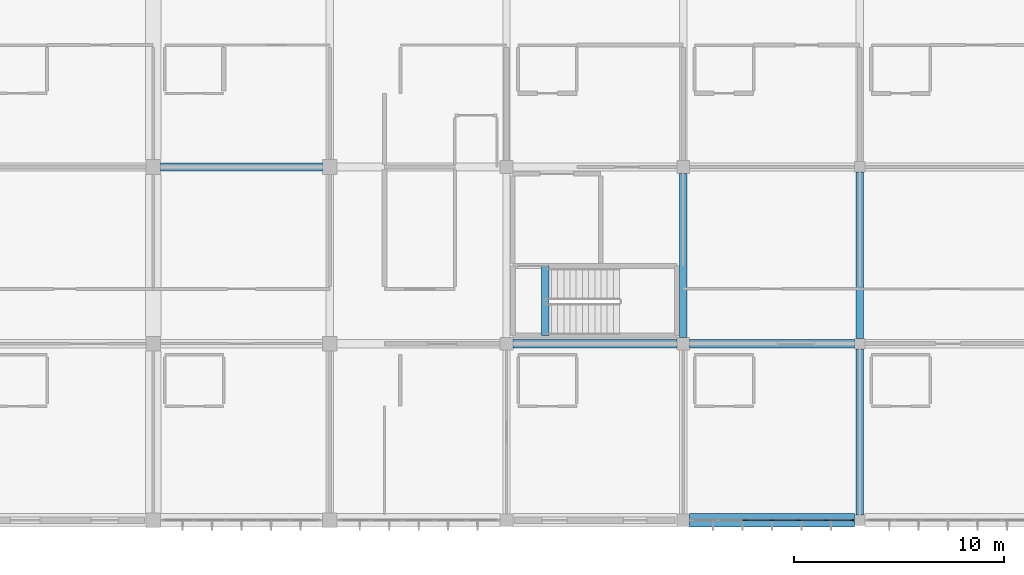
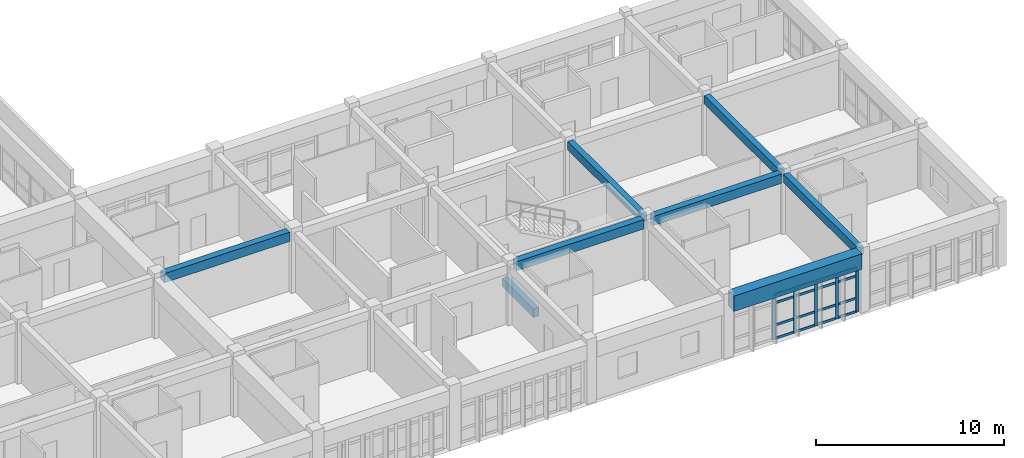
# One storey, part 44 of 119: 21 members, 8 beams, 1 element without a shape of its own.
"""IFC4 building model written with IfcOpenShell, lengths in metres."""

from ifc_helpers import new_model, si_unit, direction, frame, origin, origin_2d, place, context, subcontext, project, spatial, rectangle, extrude, material, layer, layer_set, material_profile, profile_set, type_object, element, aggregate, save


model = new_model("IFC4")

# Units and contexts
model_context = context("Model", 3, precision=1e-05, world=origin(), true_north=direction((0.0, 1.0)))
body_context = subcontext(model_context, "Body", "Model", "MODEL_VIEW")
ifc_project = project(units=[si_unit("LENGTHUNIT", "METRE"), si_unit("AREAUNIT", "SQUARE_METRE"), si_unit("VOLUMEUNIT", "CUBIC_METRE"), si_unit("PLANEANGLEUNIT", "RADIAN"), si_unit("MASSUNIT", "GRAM", prefix="KILO")], contexts=[model_context])

# Site, building, storey
site_placement = place(None, origin())
site = spatial("IfcSite", under=ifc_project, at=site_placement, CompositionType="ELEMENT")
building_placement = place(site_placement, origin())
building = spatial("IfcBuilding", under=site, at=building_placement, Name="Bramfleet General Hospital", CompositionType="ELEMENT")
storey_placement = place(building_placement, frame((0.0, 0.0, 14.39990234375)))
storey = spatial("IfcBuildingStorey", under=building, at=storey_placement, Name="L03", CompositionType="ELEMENT", Elevation=14.39990234375)

# Beams
ifc_material_1 = material(Name="Concrete C35/45", Category="concrete")
ifc_material_profile_1 = material_profile(ifc_material_1, rectangle(XDim=0.35009765625, YDim=0.550048828125, at=origin_2d()), Name="RC BM 550x350")
ifc_profile_set_1 = profile_set([ifc_material_profile_1], Name="Concrete C35/45")
beam_type_1 = type_object("IfcBeamType", Name="BM-RC550", PredefinedType="BEAM", material=ifc_profile_set_1)
beam_1_placement = place(storey_placement, frame((151.199951171875, 8.699951171875, 3.625), z_axis=(0.0, 1.0, 0.0), x_axis=(-1.0, 0.0, 0.0)))
element("IfcBeam", 1, at=beam_1_placement, inside=storey, type_object=beam_type_1, Name="L03 Grid Beam Y 18-01", PredefinedType="BEAM", context=body_context, shape_type="SweptSolid", body=[
    extrude(rectangle(XDim=0.35009765625, YDim=0.550048828125, at=origin_2d()), origin(), (0.0, 0.0, 1.0), 7.800048828125),
])
beam_2_placement = place(storey_placement, frame((159.60009765625, 0.25, 3.625), z_axis=(0.0, 1.0, 0.0), x_axis=(-1.0, 0.0, 0.0)))
element("IfcBeam", 2, at=beam_2_placement, inside=storey, type_object=beam_type_1, Name="L03 Grid Beam Y 19-00", PredefinedType="BEAM", context=body_context, shape_type="SweptSolid", body=[
    extrude(rectangle(XDim=0.35009765625, YDim=0.550048828125, at=origin_2d()), origin(), (0.0, 0.0, 1.0), 7.89990234375),
])
beam_3_placement = place(storey_placement, frame((159.60009765625, 8.64990234375, 3.625), z_axis=(0.0, 1.0, 0.0), x_axis=(-1.0, 0.0, 0.0)))
element("IfcBeam", 3, at=beam_3_placement, inside=storey, type_object=beam_type_1, Name="L03 Grid Beam Y 19-01", PredefinedType="BEAM", context=body_context, shape_type="SweptSolid", body=[
    extrude(rectangle(XDim=0.35009765625, YDim=0.550048828125, at=origin_2d()), origin(), (0.0, 0.0, 1.0), 7.900146484375),
])
beam_4_placement = place(storey_placement, frame((144.639892578125, 8.780029296875, -0.27490234375), z_axis=(0.0, 1.0, 0.0), x_axis=(-1.0, 0.0, 0.0)))
element("IfcBeam", 4, at=beam_4_placement, inside=storey, type_object=beam_type_1, Name="L03 C10 Stairwell Trimmer Beam", PredefinedType="BEAM", context=body_context, shape_type="SweptSolid", body=[
    extrude(rectangle(XDim=0.35009765625, YDim=0.550048828125, at=origin_2d()), origin(), (0.0, 0.0, 1.0), 3.320068359375),
])
ifc_material_profile_2 = material_profile(ifc_material_1, rectangle(XDim=0.39990234375, YDim=0.60009765625, at=origin_2d()), Name="RC BM 600x400")
ifc_profile_set_2 = profile_set([ifc_material_profile_2], Name="Concrete C35/45")
beam_type_2 = type_object("IfcBeamType", Name="BM-RC600", PredefinedType="BEAM", material=ifc_profile_set_2)
beam_5_placement = place(storey_placement, frame((126.35009765625, 16.800048828125, 3.60009765625), z_axis=(1.0, 0.0, 0.0), x_axis=(0.0, 1.0, 0.0)))
element("IfcBeam", 5, at=beam_5_placement, inside=storey, type_object=beam_type_2, Name="L03 Grid Beam X 15-02", PredefinedType="BEAM", context=body_context, shape_type="SweptSolid", body=[
    extrude(rectangle(XDim=0.39990234375, YDim=0.60009765625, at=origin_2d()), origin(), (0.0, 0.0, 1.0), 7.699951171875),
])
beam_6_placement = place(storey_placement, frame((143.10009765625, 8.39990234375, 3.60009765625), z_axis=(1.0, 0.0, 0.0), x_axis=(0.0, 1.0, 0.0)))
element("IfcBeam", 6, at=beam_6_placement, inside=storey, type_object=beam_type_2, Name="L03 Grid Beam X 17-01", PredefinedType="BEAM", context=body_context, shape_type="SweptSolid", body=[
    extrude(rectangle(XDim=0.39990234375, YDim=0.60009765625, at=origin_2d()), origin(), (0.0, 0.0, 1.0), 7.7998046875),
])
beam_7_placement = place(storey_placement, frame((151.5, 8.39990234375, 3.60009765625), z_axis=(1.0, 0.0, 0.0), x_axis=(0.0, 1.0, 0.0)))
element("IfcBeam", 7, at=beam_7_placement, inside=storey, type_object=beam_type_2, Name="L03 Grid Beam X 18-01", PredefinedType="BEAM", context=body_context, shape_type="SweptSolid", body=[
    extrude(rectangle(XDim=0.39990234375, YDim=0.60009765625, at=origin_2d()), origin(), (0.0, 0.0, 1.0), 7.85009765625),
])
ifc_material_2 = material(Name="Concrete C40/50", Category="concrete")
ifc_material_profile_3 = material_profile(ifc_material_2, rectangle(XDim=0.64990234375, YDim=1.0, at=origin_2d()), Name="RC TG 1000x650")
ifc_profile_set_3 = profile_set([ifc_material_profile_3], Name="Concrete C40/50")
beam_type_3 = type_object("IfcBeamType", Name="BM-TG1000", PredefinedType="BEAM", material=ifc_profile_set_3)
beam_8_placement = place(storey_placement, frame((151.5, 0.0, 3.400146484375), z_axis=(1.0, 0.0, 0.0), x_axis=(0.0, 1.0, 0.0)))
element("IfcBeam", 8, at=beam_8_placement, inside=storey, type_object=beam_type_3, Name="L03 Transfer Girder X 18-00", PredefinedType="BEAM", context=body_context, shape_type="SweptSolid", body=[
    extrude(rectangle(XDim=0.64990234375, YDim=1.0, at=origin_2d()), origin(), (0.0, 0.0, 1.0), 7.85009765625),
])

# Curtain wall, members
ifc_material_3 = material(Name="Anodised aluminium and low-E triple glazing", Category="aluminium")
ifc_layer = layer(ifc_material_3, 0.179931640625, Name="CWT-CW-08")
ifc_layer_set = layer_set([ifc_layer], Name="Anodised aluminium and low-E triple glazing")
curtain_wall_type = type_object("IfcCurtainWallType", Name="CWT-CW-08", PredefinedType="USERDEFINED", material=ifc_layer_set)
curtain_wall_placement = place(storey_placement, origin())
curtain_wall = element("IfcCurtainWall", 9, at=curtain_wall_placement, inside=storey, type_object=curtain_wall_type, Name="L03 Curtain Wall 170", ObjectType="Unitised curtain wall", PredefinedType="USERDEFINED")
ifc_material_4 = material(Name="Structural timber GL28h", Category="wood")
ifc_material_profile_4 = material_profile(ifc_material_4, rectangle(XDim=0.070068359375, YDim=0.18994140625, at=origin_2d()), Name="LARCH 190x70")
ifc_profile_set_4 = profile_set([ifc_material_profile_4], Name="Structural timber GL28h")
member_type_1 = type_object("IfcMemberType", Name="CWM-LARCH450", PredefinedType="MULLION", material=ifc_profile_set_4)
member_1_placement = place(storey_placement, frame((159.239990234375, 0.0, 0.0), z_axis=(0.0, 0.0, 1.0), x_axis=(0.0, -1.0, 0.0)))
member_1 = element("IfcMember", 10, at=member_1_placement, type_object=member_type_1, Name="CW-08 mullion 1", PredefinedType="MULLION", context=body_context, shape_type="SweptSolid", body=[
    extrude(rectangle(XDim=0.070068359375, YDim=0.18994140625, at=origin_2d()), origin(), (0.0, 0.0, 1.0), 2.89013671875),
])
member_2_placement = place(storey_placement, frame((157.99169921875, 0.0, 0.0), z_axis=(0.0, 0.0, 1.0), x_axis=(0.0, -1.0, 0.0)))
member_2 = element("IfcMember", 11, at=member_2_placement, type_object=member_type_1, Name="CW-08 mullion 2", PredefinedType="MULLION", context=body_context, shape_type="SweptSolid", body=[
    extrude(rectangle(XDim=0.070068359375, YDim=0.18994140625, at=origin_2d()), origin(), (0.0, 0.0, 1.0), 2.89013671875),
])
member_3_placement = place(storey_placement, frame((156.708251953125, 0.0, 0.0), z_axis=(0.0, 0.0, 1.0), x_axis=(0.0, -1.0, 0.0)))
member_3 = element("IfcMember", 12, at=member_3_placement, type_object=member_type_1, Name="CW-08 mullion 3", PredefinedType="MULLION", context=body_context, shape_type="SweptSolid", body=[
    extrude(rectangle(XDim=0.070068359375, YDim=0.18994140625, at=origin_2d()), origin(), (0.0, 0.0, 1.0), 2.89013671875),
])
member_4_placement = place(storey_placement, frame((155.425048828125, 0.0, 0.0), z_axis=(0.0, 0.0, 1.0), x_axis=(0.0, -1.0, 0.0)))
member_4 = element("IfcMember", 13, at=member_4_placement, type_object=member_type_1, Name="CW-08 mullion 4", PredefinedType="MULLION", context=body_context, shape_type="SweptSolid", body=[
    extrude(rectangle(XDim=0.070068359375, YDim=0.18994140625, at=origin_2d()), origin(), (0.0, 0.0, 1.0), 2.89013671875),
])
member_5_placement = place(storey_placement, frame((154.1416015625, 0.0, 0.0), z_axis=(0.0, 0.0, 1.0), x_axis=(0.0, -1.0, 0.0)))
member_5 = element("IfcMember", 14, at=member_5_placement, type_object=member_type_1, Name="CW-08 mullion 5", PredefinedType="MULLION", context=body_context, shape_type="SweptSolid", body=[
    extrude(rectangle(XDim=0.070068359375, YDim=0.18994140625, at=origin_2d()), origin(), (0.0, 0.0, 1.0), 2.89013671875),
])
ifc_material_profile_5 = material_profile(ifc_material_4, rectangle(XDim=0.06494140625, YDim=0.14990234375, at=origin_2d()), Name="LARCH 150x65")
ifc_profile_set_5 = profile_set([ifc_material_profile_5], Name="Structural timber GL28h")
member_type_2 = type_object("IfcMemberType", Name="CWT-LARCH220", PredefinedType="USERDEFINED", material=ifc_profile_set_5)
member_6_placement = place(storey_placement, frame((159.205078125, 0.0, 0.03271484375), z_axis=(-1.0, 0.0, 0.0), x_axis=(0.0, -1.0, 0.0)))
member_6 = element("IfcMember", 15, at=member_6_placement, type_object=member_type_2, Name="CW-08 transom 1.1", ObjectType="TRANSOM", PredefinedType="USERDEFINED", context=body_context, shape_type="SweptSolid", body=[
    extrude(rectangle(XDim=0.06494140625, YDim=0.14990234375, at=origin_2d()), origin(), (0.0, 0.0, 1.0), 1.178466796875),
])
member_7_placement = place(storey_placement, frame((159.205078125, 0.0, 0.900146484375), z_axis=(-1.0, 0.0, 0.0), x_axis=(0.0, -1.0, 0.0)))
member_7 = element("IfcMember", 16, at=member_7_placement, type_object=member_type_2, Name="CW-08 transom 1.2", ObjectType="TRANSOM", PredefinedType="USERDEFINED", context=body_context, shape_type="SweptSolid", body=[
    extrude(rectangle(XDim=0.06494140625, YDim=0.14990234375, at=origin_2d()), origin(), (0.0, 0.0, 1.0), 1.178466796875),
])
member_8_placement = place(storey_placement, frame((159.205078125, 0.0, 2.340087890625), z_axis=(-1.0, 0.0, 0.0), x_axis=(0.0, -1.0, 0.0)))
member_8 = element("IfcMember", 17, at=member_8_placement, type_object=member_type_2, Name="CW-08 transom 1.3", ObjectType="TRANSOM", PredefinedType="USERDEFINED", context=body_context, shape_type="SweptSolid", body=[
    extrude(rectangle(XDim=0.06494140625, YDim=0.14990234375, at=origin_2d()), origin(), (0.0, 0.0, 1.0), 1.178466796875),
])
member_9_placement = place(storey_placement, frame((159.205078125, 0.0, 2.857666015625), z_axis=(-1.0, 0.0, 0.0), x_axis=(0.0, -1.0, 0.0)))
member_9 = element("IfcMember", 18, at=member_9_placement, type_object=member_type_2, Name="CW-08 transom 1.4", ObjectType="TRANSOM", PredefinedType="USERDEFINED", context=body_context, shape_type="SweptSolid", body=[
    extrude(rectangle(XDim=0.06494140625, YDim=0.14990234375, at=origin_2d()), origin(), (0.0, 0.0, 1.0), 1.178466796875),
])
member_10_placement = place(storey_placement, frame((157.956787109375, 0.0, 0.03271484375), z_axis=(-1.0, 0.0, 0.0), x_axis=(0.0, -1.0, 0.0)))
member_10 = element("IfcMember", 19, at=member_10_placement, type_object=member_type_2, Name="CW-08 transom 2.1", ObjectType="TRANSOM", PredefinedType="USERDEFINED", context=body_context, shape_type="SweptSolid", body=[
    extrude(rectangle(XDim=0.06494140625, YDim=0.14990234375, at=origin_2d()), origin(), (0.0, 0.0, 1.0), 1.21337890625),
])
member_11_placement = place(storey_placement, frame((157.956787109375, 0.0, 0.900146484375), z_axis=(-1.0, 0.0, 0.0), x_axis=(0.0, -1.0, 0.0)))
member_11 = element("IfcMember", 20, at=member_11_placement, type_object=member_type_2, Name="CW-08 transom 2.2", ObjectType="TRANSOM", PredefinedType="USERDEFINED", context=body_context, shape_type="SweptSolid", body=[
    extrude(rectangle(XDim=0.06494140625, YDim=0.14990234375, at=origin_2d()), origin(), (0.0, 0.0, 1.0), 1.21337890625),
])
member_12_placement = place(storey_placement, frame((157.956787109375, 0.0, 2.340087890625), z_axis=(-1.0, 0.0, 0.0), x_axis=(0.0, -1.0, 0.0)))
member_12 = element("IfcMember", 21, at=member_12_placement, type_object=member_type_2, Name="CW-08 transom 2.3", ObjectType="TRANSOM", PredefinedType="USERDEFINED", context=body_context, shape_type="SweptSolid", body=[
    extrude(rectangle(XDim=0.06494140625, YDim=0.14990234375, at=origin_2d()), origin(), (0.0, 0.0, 1.0), 1.21337890625),
])
member_13_placement = place(storey_placement, frame((157.956787109375, 0.0, 2.857666015625), z_axis=(-1.0, 0.0, 0.0), x_axis=(0.0, -1.0, 0.0)))
member_13 = element("IfcMember", 22, at=member_13_placement, type_object=member_type_2, Name="CW-08 transom 2.4", ObjectType="TRANSOM", PredefinedType="USERDEFINED", context=body_context, shape_type="SweptSolid", body=[
    extrude(rectangle(XDim=0.06494140625, YDim=0.14990234375, at=origin_2d()), origin(), (0.0, 0.0, 1.0), 1.21337890625),
])
member_14_placement = place(storey_placement, frame((156.67333984375, 0.0, 0.03271484375), z_axis=(-1.0, 0.0, 0.0), x_axis=(0.0, -1.0, 0.0)))
member_14 = element("IfcMember", 23, at=member_14_placement, type_object=member_type_2, Name="CW-08 transom 3.1", ObjectType="TRANSOM", PredefinedType="USERDEFINED", context=body_context, shape_type="SweptSolid", body=[
    extrude(rectangle(XDim=0.06494140625, YDim=0.14990234375, at=origin_2d()), origin(), (0.0, 0.0, 1.0), 1.21337890625),
])
member_15_placement = place(storey_placement, frame((156.67333984375, 0.0, 0.900146484375), z_axis=(-1.0, 0.0, 0.0), x_axis=(0.0, -1.0, 0.0)))
member_15 = element("IfcMember", 24, at=member_15_placement, type_object=member_type_2, Name="CW-08 transom 3.2", ObjectType="TRANSOM", PredefinedType="USERDEFINED", context=body_context, shape_type="SweptSolid", body=[
    extrude(rectangle(XDim=0.06494140625, YDim=0.14990234375, at=origin_2d()), origin(), (0.0, 0.0, 1.0), 1.21337890625),
])
member_16_placement = place(storey_placement, frame((156.67333984375, 0.0, 2.340087890625), z_axis=(-1.0, 0.0, 0.0), x_axis=(0.0, -1.0, 0.0)))
member_16 = element("IfcMember", 25, at=member_16_placement, type_object=member_type_2, Name="CW-08 transom 3.3", ObjectType="TRANSOM", PredefinedType="USERDEFINED", context=body_context, shape_type="SweptSolid", body=[
    extrude(rectangle(XDim=0.06494140625, YDim=0.14990234375, at=origin_2d()), origin(), (0.0, 0.0, 1.0), 1.21337890625),
])
member_17_placement = place(storey_placement, frame((156.67333984375, 0.0, 2.857666015625), z_axis=(-1.0, 0.0, 0.0), x_axis=(0.0, -1.0, 0.0)))
member_17 = element("IfcMember", 26, at=member_17_placement, type_object=member_type_2, Name="CW-08 transom 3.4", ObjectType="TRANSOM", PredefinedType="USERDEFINED", context=body_context, shape_type="SweptSolid", body=[
    extrude(rectangle(XDim=0.06494140625, YDim=0.14990234375, at=origin_2d()), origin(), (0.0, 0.0, 1.0), 1.21337890625),
])
member_18_placement = place(storey_placement, frame((155.389892578125, 0.0, 0.03271484375), z_axis=(-1.0, 0.0, 0.0), x_axis=(0.0, -1.0, 0.0)))
member_18 = element("IfcMember", 27, at=member_18_placement, type_object=member_type_2, Name="CW-08 transom 4.1", ObjectType="TRANSOM", PredefinedType="USERDEFINED", context=body_context, shape_type="SweptSolid", body=[
    extrude(rectangle(XDim=0.06494140625, YDim=0.14990234375, at=origin_2d()), origin(), (0.0, 0.0, 1.0), 1.213134765625),
])
member_19_placement = place(storey_placement, frame((155.389892578125, 0.0, 0.900146484375), z_axis=(-1.0, 0.0, 0.0), x_axis=(0.0, -1.0, 0.0)))
member_19 = element("IfcMember", 28, at=member_19_placement, type_object=member_type_2, Name="CW-08 transom 4.2", ObjectType="TRANSOM", PredefinedType="USERDEFINED", context=body_context, shape_type="SweptSolid", body=[
    extrude(rectangle(XDim=0.06494140625, YDim=0.14990234375, at=origin_2d()), origin(), (0.0, 0.0, 1.0), 1.213134765625),
])
member_20_placement = place(storey_placement, frame((155.389892578125, 0.0, 2.340087890625), z_axis=(-1.0, 0.0, 0.0), x_axis=(0.0, -1.0, 0.0)))
member_20 = element("IfcMember", 29, at=member_20_placement, type_object=member_type_2, Name="CW-08 transom 4.3", ObjectType="TRANSOM", PredefinedType="USERDEFINED", context=body_context, shape_type="SweptSolid", body=[
    extrude(rectangle(XDim=0.06494140625, YDim=0.14990234375, at=origin_2d()), origin(), (0.0, 0.0, 1.0), 1.213134765625),
])
member_21_placement = place(storey_placement, frame((155.389892578125, 0.0, 2.857666015625), z_axis=(-1.0, 0.0, 0.0), x_axis=(0.0, -1.0, 0.0)))
member_21 = element("IfcMember", 30, at=member_21_placement, type_object=member_type_2, Name="CW-08 transom 4.4", ObjectType="TRANSOM", PredefinedType="USERDEFINED", context=body_context, shape_type="SweptSolid", body=[
    extrude(rectangle(XDim=0.06494140625, YDim=0.14990234375, at=origin_2d()), origin(), (0.0, 0.0, 1.0), 1.213134765625),
])
aggregate(curtain_wall, [member_1, member_2, member_3, member_4, member_5, member_6, member_7, member_8, member_9, member_10, member_11, member_12, member_13, member_14, member_15, member_16, member_17, member_18, member_19, member_20, member_21])

save(model, "model.ifc")
